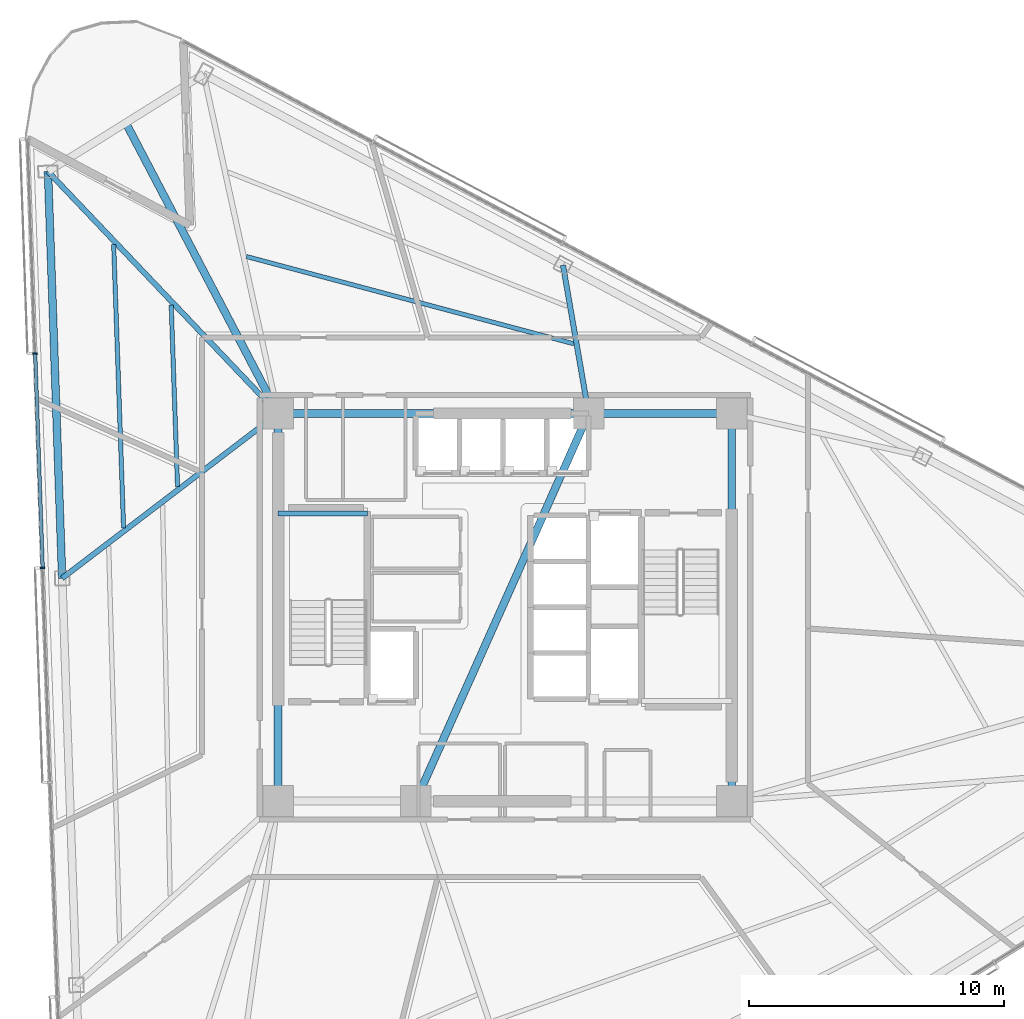
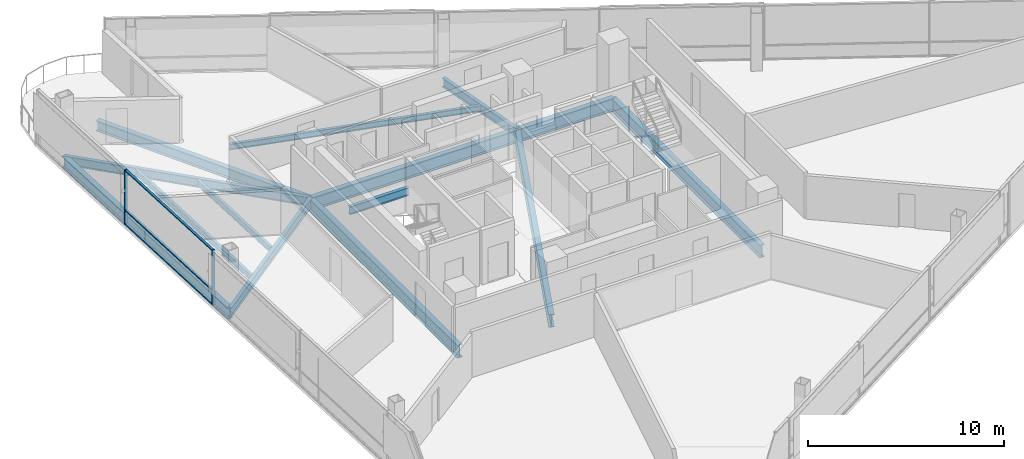
# One storey, part 7 of 21: 14 beams, 5 members, 1 element without a shape of its own.
"""IFC4 building model written with IfcOpenShell, lengths in metres."""

from ifc_helpers import new_model, si_unit, direction, frame, origin, origin_2d, place, context, subcontext, project, spatial, rectangle, i_section, extrude, material, layer, layer_set, material_profile, profile_set, type_object, element, aggregate, save


model = new_model("IFC4")

# Units and contexts
model_context = context("Model", 3, precision=1e-05, world=origin(), true_north=direction((0.0, 1.0)))
body_context = subcontext(model_context, "Body", "Model", "MODEL_VIEW")
ifc_project = project(units=[si_unit("LENGTHUNIT", "METRE"), si_unit("AREAUNIT", "SQUARE_METRE"), si_unit("VOLUMEUNIT", "CUBIC_METRE"), si_unit("PLANEANGLEUNIT", "RADIAN"), si_unit("MASSUNIT", "GRAM", prefix="KILO")], contexts=[model_context])

# Site, building, storey
site_placement = place(None, origin())
site = spatial("IfcSite", under=ifc_project, at=site_placement, CompositionType="ELEMENT")
building_placement = place(site_placement, origin())
building = spatial("IfcBuilding", under=site, at=building_placement, Name="Tharavind Bronze Gate", CompositionType="ELEMENT")
storey_placement = place(building_placement, frame((0.0, 0.0, 156.800048828125)))
storey = spatial("IfcBuildingStorey", under=building, at=storey_placement, Name="L40", CompositionType="ELEMENT", Elevation=156.800048828125)

# Curtain wall, members
ifc_material_1 = material(Name="Anodised Bronze Aluminium", Category="aluminium")
ifc_layer = layer(ifc_material_1, 0.219970703125)
ifc_layer_set = layer_set([ifc_layer], Name="Anodised Bronze Aluminium")
curtain_wall_type = type_object("IfcCurtainWallType", Name="UNITISED CURTAIN WALL MID OFFICE", PredefinedType="USERDEFINED", material=ifc_layer_set)
curtain_wall_placement = place(storey_placement, origin())
curtain_wall = element("IfcCurtainWall", 1, at=curtain_wall_placement, inside=storey, type_object=curtain_wall_type, Name="L40 unitised curtain wall mid office CW-L40-S1", ObjectType="UNITISED CURTAIN WALL", PredefinedType="USERDEFINED")
member_type_1 = type_object("IfcMemberType", Name="CURTAIN WALL BRONZE MULLION 65X180", PredefinedType="MULLION", material=ifc_material_1)
member_1_placement = place(storey_placement, frame((-18.426025390625, 9.955078125, 0.0), z_axis=(0.0, 0.0, 1.0), x_axis=(0.034899496703, -0.999390827019, 0.0)))
member_1 = element("IfcMember", 2, at=member_1_placement, type_object=member_type_1, Name="CW-L40-S1 mullion 2", PredefinedType="MULLION", context=body_context, shape_type="SweptSolid", body=[
    extrude(rectangle(XDim=0.06494140625, YDim=0.179931640625, at=origin_2d()), origin(), (0.0, 0.0, 1.0), 3.409912109375),
])
member_2_placement = place(storey_placement, frame((-18.132568359375, 1.545654296875, 0.0), z_axis=(0.0, 0.0, 1.0), x_axis=(0.034899496703, -0.999390827019, 0.0)))
member_2 = element("IfcMember", 3, at=member_2_placement, type_object=member_type_1, Name="CW-L40-S1 mullion 3", PredefinedType="MULLION", context=body_context, shape_type="SweptSolid", body=[
    extrude(rectangle(XDim=0.06494140625, YDim=0.179931640625, at=origin_2d()), origin(), (0.0, 0.0, 1.0), 3.409912109375),
])
member_type_2 = type_object("IfcMemberType", Name="CURTAIN WALL BRONZE TRANSOM 65X140", PredefinedType="USERDEFINED", material=ifc_material_1)
member_3_placement = place(storey_placement, frame((-18.279296875, 5.750244140625, 0.0), z_axis=(0.0, 0.0, 1.0), x_axis=(0.034899496703, -0.999390827019, 0.0)))
member_3 = element("IfcMember", 4, at=member_3_placement, type_object=member_type_2, Name="CW-L40-S1 transom TB2", ObjectType="TRANSOM", PredefinedType="USERDEFINED", context=body_context, shape_type="SweptSolid", body=[
    extrude(rectangle(XDim=8.361572265625, YDim=0.139892578125, at=origin_2d()), origin(), (0.0, 0.0, 1.0), 0.06494140625),
])
member_4_placement = place(storey_placement, frame((-18.279296875, 5.750244140625, 0.867431640625), z_axis=(0.0, 0.0, 1.0), x_axis=(0.034899496703, -0.999390827019, 0.0)))
member_4 = element("IfcMember", 5, at=member_4_placement, type_object=member_type_2, Name="CW-L40-S1 transom TS2", ObjectType="TRANSOM", PredefinedType="USERDEFINED", context=body_context, shape_type="SweptSolid", body=[
    extrude(rectangle(XDim=8.361572265625, YDim=0.139892578125, at=origin_2d()), origin(), (0.0, 0.0, 1.0), 0.06494140625),
])
member_5_placement = place(storey_placement, frame((-18.279296875, 5.750244140625, 3.344970703125), z_axis=(0.0, 0.0, 1.0), x_axis=(0.034899496703, -0.999390827019, 0.0)))
member_5 = element("IfcMember", 6, at=member_5_placement, type_object=member_type_2, Name="CW-L40-S1 transom TT2", ObjectType="TRANSOM", PredefinedType="USERDEFINED", context=body_context, shape_type="SweptSolid", body=[
    extrude(rectangle(XDim=8.361572265625, YDim=0.139892578125, at=origin_2d()), origin(), (0.0, 0.0, 1.0), 0.06494140625),
])
aggregate(curtain_wall, [member_1, member_2, member_3, member_4, member_5])

# Beams
ifc_material_2 = material(Name="Steel S355", Category="steel")
ifc_material_profile_1 = material_profile(ifc_material_2, i_section(OverallWidth=0.300048828125, OverallDepth=0.64990234375, WebThickness=0.01611328125, FlangeThickness=0.031005859375, at=origin_2d()), Name="HE650B")
ifc_profile_set_1 = profile_set([ifc_material_profile_1], Name="Steel S355")
beam_type_1 = type_object("IfcBeamType", Name="PRIMARY GIRDER HE650B", PredefinedType="USERDEFINED", material=ifc_profile_set_1)
beam_1_placement = place(storey_placement, frame((-8.89990234375, 7.60009765625, -0.51513671875), z_axis=(-0.464055196484, 0.88580628504, 0.0), x_axis=(-0.88580628504, -0.464055196484, 0.0)))
element("IfcBeam", 7, at=beam_1_placement, inside=storey, type_object=beam_type_1, Name="L40 primary girder he650b BM-L40-BLCSB", ObjectType="GIRDER", PredefinedType="USERDEFINED", context=body_context, shape_type="SweptSolid", body=[
    extrude(i_section(OverallWidth=0.300048828125, OverallDepth=0.64990234375, WebThickness=0.01611328125, FlangeThickness=0.031005859375, at=origin_2d()), origin(), (0.0, 0.0, 1.0), 12.86962890625),
])
ifc_material_profile_2 = material_profile(ifc_material_2, i_section(OverallWidth=0.199951171875, OverallDepth=0.5, WebThickness=0.01025390625, FlangeThickness=0.01611328125, at=origin_2d()), Name="IPE500")
ifc_profile_set_2 = profile_set([ifc_material_profile_2], Name="Steel S355")
beam_type_2 = type_object("IfcBeamType", Name="PRIMARY GIRDER IPE500", PredefinedType="USERDEFINED", material=ifc_profile_set_2)
beam_2_placement = place(storey_placement, frame((-8.89990234375, 3.679931640625, 1.349853515625), z_axis=(1.0, 0.0, 0.0), x_axis=(0.0, 1.0, 0.0)))
element("IfcBeam", 8, at=beam_2_placement, inside=storey, type_object=beam_type_2, Name="L40 primary girder ipe500 BM-LD-ST1-L40-1", ObjectType="GIRDER", PredefinedType="USERDEFINED", context=body_context, shape_type="SweptSolid", body=[
    extrude(i_section(OverallWidth=0.199951171875, OverallDepth=0.5, WebThickness=0.01025390625, FlangeThickness=0.01611328125, at=origin_2d()), origin(), (0.0, 0.0, 1.0), 3.5),
])
ifc_material_profile_3 = material_profile(ifc_material_2, i_section(OverallWidth=0.2099609375, OverallDepth=0.550048828125, WebThickness=0.010986328125, FlangeThickness=0.01708984375, at=origin_2d()), Name="IPE550")
ifc_profile_set_3 = profile_set([ifc_material_profile_3], Name="Steel S355")
beam_type_3 = type_object("IfcBeamType", Name="PRIMARY GIRDER IPE550", PredefinedType="USERDEFINED", material=ifc_profile_set_3)
beam_3_placement = place(storey_placement, frame((-17.9248046875, 17.09228515625, -0.465087890625), z_axis=(0.689043333113, -0.724720142602, 0.0), x_axis=(0.724720142602, 0.689043333113, 0.0)))
element("IfcBeam", 9, at=beam_3_placement, inside=storey, type_object=beam_type_3, Name="L40 primary girder ipe550 BM-L40-RAD01", ObjectType="GIRDER", PredefinedType="USERDEFINED", context=body_context, shape_type="SweptSolid", body=[
    extrude(i_section(OverallWidth=0.2099609375, OverallDepth=0.550048828125, WebThickness=0.010986328125, FlangeThickness=0.01708984375, at=origin_2d()), origin(), (0.0, 0.0, 1.0), 13.09765625),
])
beam_4_placement = place(storey_placement, frame((-17.367919921875, 1.138916015625, -0.465087890625), z_axis=(0.79500796779, 0.6065989871, 0.0), x_axis=(-0.6065989871, 0.79500796779, 0.0)))
element("IfcBeam", 10, at=beam_4_placement, inside=storey, type_object=beam_type_3, Name="L40 primary girder ipe550 BM-L40-RAD02", ObjectType="GIRDER", PredefinedType="USERDEFINED", context=body_context, shape_type="SweptSolid", body=[
    extrude(i_section(OverallWidth=0.2099609375, OverallDepth=0.550048828125, WebThickness=0.010986328125, FlangeThickness=0.01708984375, at=origin_2d()), origin(), (0.0, 0.0, 1.0), 10.6513671875),
])
beam_5_placement = place(storey_placement, frame((2.275634765625, 13.41357421875, -0.465087890625), z_axis=(0.170247810627, -0.985401280178, 0.0), x_axis=(0.985401280178, 0.170247810627, 0.0)))
element("IfcBeam", 11, at=beam_5_placement, inside=storey, type_object=beam_type_3, Name="L40 primary girder ipe550 BM-L40-RAD11", ObjectType="GIRDER", PredefinedType="USERDEFINED", context=body_context, shape_type="SweptSolid", body=[
    extrude(i_section(OverallWidth=0.2099609375, OverallDepth=0.550048828125, WebThickness=0.010986328125, FlangeThickness=0.01708984375, at=origin_2d()), origin(), (0.0, 0.0, 1.0), 5.899658203125),
])
ifc_material_profile_4 = material_profile(ifc_material_2, i_section(OverallWidth=0.300048828125, OverallDepth=0.699951171875, WebThickness=0.01708984375, FlangeThickness=0.031982421875, at=origin_2d()), Name="HE700B")
ifc_profile_set_4 = profile_set([ifc_material_profile_4], Name="Steel S355")
beam_type_4 = type_object("IfcBeamType", Name="RING GIRDER HE700B", PredefinedType="USERDEFINED", material=ifc_profile_set_4)
beam_6_placement = place(storey_placement, frame((-17.9248046875, 17.09228515625, -0.5400390625), z_axis=(0.034885784199, -0.999391305776, 0.0), x_axis=(0.999391305776, 0.034885784199, 0.0)))
element("IfcBeam", 12, at=beam_6_placement, inside=storey, type_object=beam_type_4, Name="L40 ring girder he700b BM-L40-PRG01", ObjectType="GIRDER", PredefinedType="USERDEFINED", context=body_context, shape_type="SweptSolid", body=[
    extrude(i_section(OverallWidth=0.300048828125, OverallDepth=0.699951171875, WebThickness=0.01708984375, FlangeThickness=0.031982421875, at=origin_2d()), origin(), (0.0, 0.0, 1.0), 15.963134765625),
])
ifc_material_profile_5 = material_profile(ifc_material_2, i_section(OverallWidth=0.300048828125, OverallDepth=0.800048828125, WebThickness=0.017578125, FlangeThickness=0.032958984375, at=origin_2d()), Name="HE800B")
ifc_profile_set_5 = profile_set([ifc_material_profile_5], Name="Steel S355")
beam_type_5 = type_object("IfcBeamType", Name="RING GIRDER HE800B", PredefinedType="USERDEFINED", material=ifc_profile_set_5)
beam_7_placement = place(storey_placement, frame((8.89990234375, -7.60009765625, -0.590087890625), z_axis=(0.0, 1.0, 0.0), x_axis=(-1.0, 0.0, 0.0)))
element("IfcBeam", 13, at=beam_7_placement, inside=storey, type_object=beam_type_5, Name="L40 ring girder he800b BM-L40-CR3", ObjectType="GIRDER", PredefinedType="USERDEFINED", context=body_context, shape_type="SweptSolid", body=[
    extrude(i_section(OverallWidth=0.300048828125, OverallDepth=0.800048828125, WebThickness=0.017578125, FlangeThickness=0.032958984375, at=origin_2d()), origin(), (0.0, 0.0, 1.0), 15.2001953125),
])
beam_8_placement = place(storey_placement, frame((8.89990234375, 7.60009765625, -0.590087890625), z_axis=(-1.0, 0.0, 0.0), x_axis=(0.0, -1.0, 0.0)))
element("IfcBeam", 14, at=beam_8_placement, inside=storey, type_object=beam_type_5, Name="L40 ring girder he800b BM-L40-CR4", ObjectType="GIRDER", PredefinedType="USERDEFINED", context=body_context, shape_type="SweptSolid", body=[
    extrude(i_section(OverallWidth=0.300048828125, OverallDepth=0.800048828125, WebThickness=0.017578125, FlangeThickness=0.032958984375, at=origin_2d()), origin(), (0.0, 0.0, 1.0), 5.619873046875),
])
beam_9_placement = place(storey_placement, frame((3.280029296875, 7.60009765625, -0.590087890625), z_axis=(-1.0, 0.0, 0.0), x_axis=(0.0, -1.0, 0.0)))
element("IfcBeam", 15, at=beam_9_placement, inside=storey, type_object=beam_type_5, Name="L40 ring girder he800b BM-L40-CR5", ObjectType="GIRDER", PredefinedType="USERDEFINED", context=body_context, shape_type="SweptSolid", body=[
    extrude(i_section(OverallWidth=0.300048828125, OverallDepth=0.800048828125, WebThickness=0.017578125, FlangeThickness=0.032958984375, at=origin_2d()), origin(), (0.0, 0.0, 1.0), 12.179931640625),
])
beam_10_placement = place(storey_placement, frame((-8.89990234375, 7.60009765625, -0.590087890625), z_axis=(0.0, -1.0, 0.0), x_axis=(1.0, 0.0, 0.0)))
element("IfcBeam", 16, at=beam_10_placement, inside=storey, type_object=beam_type_5, Name="L40 ring girder he800b BM-L40-CR6", ObjectType="GIRDER", PredefinedType="USERDEFINED", context=body_context, shape_type="SweptSolid", body=[
    extrude(i_section(OverallWidth=0.300048828125, OverallDepth=0.800048828125, WebThickness=0.017578125, FlangeThickness=0.032958984375, at=origin_2d()), origin(), (0.0, 0.0, 1.0), 15.2001953125),
])
beam_11_placement = place(storey_placement, frame((-3.5, -7.60009765625, -0.590087890625), z_axis=(0.407361644566, 0.913266932795, 0.0), x_axis=(-0.913266932795, 0.407361644566, 0.0)))
element("IfcBeam", 17, at=beam_11_placement, inside=storey, type_object=beam_type_5, Name="L40 ring girder he800b BM-L40-CR7", ObjectType="GIRDER", PredefinedType="USERDEFINED", context=body_context, shape_type="SweptSolid", body=[
    extrude(i_section(OverallWidth=0.300048828125, OverallDepth=0.800048828125, WebThickness=0.017578125, FlangeThickness=0.032958984375, at=origin_2d()), origin(), (0.0, 0.0, 1.0), 16.643798828125),
])
ifc_material_profile_6 = material_profile(ifc_material_2, i_section(OverallWidth=0.169921875, OverallDepth=0.360107421875, WebThickness=0.008056640625, FlangeThickness=0.0126953125, at=origin_2d()), Name="IPE360")
ifc_profile_set_6 = profile_set([ifc_material_profile_6], Name="Steel S355")
beam_type_6 = type_object("IfcBeamType", Name="SECONDARY FLOOR JOIST IPE360", PredefinedType="JOIST", material=ifc_profile_set_6)
beam_12_placement = place(storey_placement, frame((-13.0908203125, 11.851806640625, -0.3701171875), z_axis=(0.034868084792, -0.999391923453, 0.0), x_axis=(0.999391923453, 0.034868084792, 0.0)))
element("IfcBeam", 18, at=beam_12_placement, inside=storey, type_object=beam_type_6, Name="L40 secondary floor joist ipe360 BM-L40-JSTA01", PredefinedType="JOIST", context=body_context, shape_type="SweptSolid", body=[
    extrude(i_section(OverallWidth=0.169921875, OverallDepth=0.360107421875, WebThickness=0.008056640625, FlangeThickness=0.0126953125, at=origin_2d()), origin(), (0.0, 0.0, 1.0), 7.1279296875),
])
beam_13_placement = place(storey_placement, frame((-15.34716796875, 14.224853515625, -0.3701171875), z_axis=(0.034913008406, -0.999390355089, 0.0), x_axis=(0.999390355089, 0.034913008406, 0.0)))
element("IfcBeam", 19, at=beam_13_placement, inside=storey, type_object=beam_type_6, Name="L40 secondary floor joist ipe360 BM-L40-JSTB01", PredefinedType="JOIST", context=body_context, shape_type="SweptSolid", body=[
    extrude(i_section(OverallWidth=0.169921875, OverallDepth=0.360107421875, WebThickness=0.008056640625, FlangeThickness=0.0126953125, at=origin_2d()), origin(), (0.0, 0.0, 1.0), 11.11865234375),
])
beam_14_placement = place(storey_placement, frame((2.697509765625, 10.333984375, -0.3701171875), z_axis=(-0.966245614019, 0.257622618162, 0.0), x_axis=(-0.257622618162, -0.966245614019, 0.0)))
element("IfcBeam", 20, at=beam_14_placement, inside=storey, type_object=beam_type_6, Name="L40 secondary floor joist ipe360 BM-L40-JSTA11", PredefinedType="JOIST", context=body_context, shape_type="SweptSolid", body=[
    extrude(i_section(OverallWidth=0.169921875, OverallDepth=0.360107421875, WebThickness=0.008056640625, FlangeThickness=0.0126953125, at=origin_2d()), origin(), (0.0, 0.0, 1.0), 13.285400390625),
])

save(model, "model.ifc")
